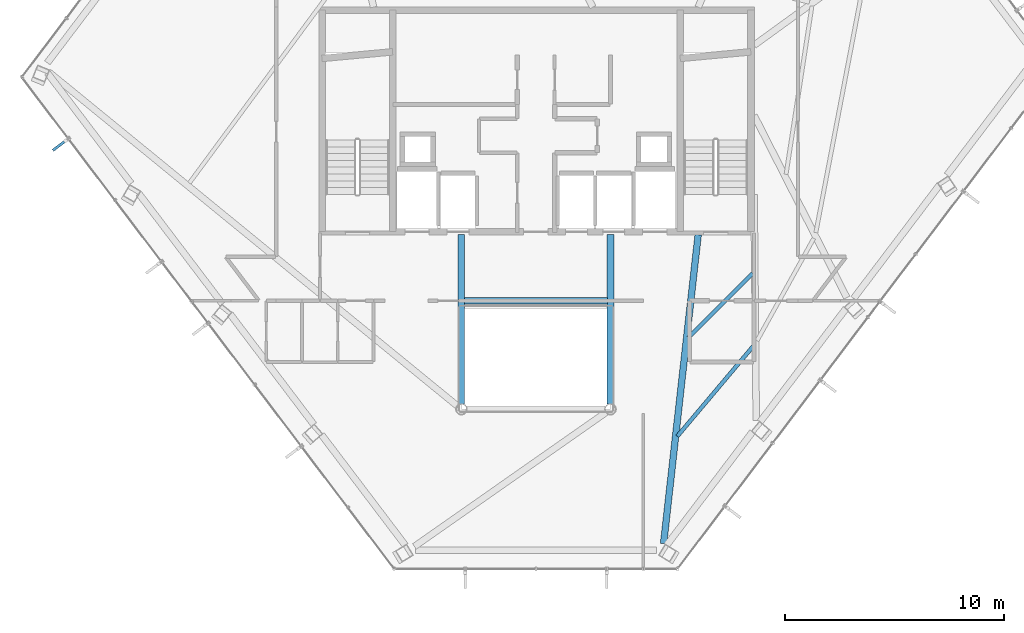
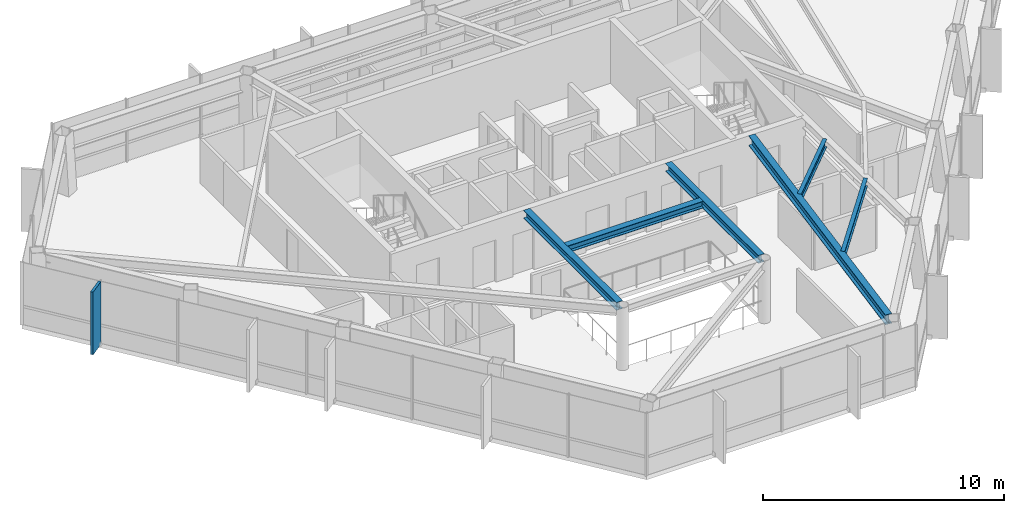
# One storey, part 8 of 27: 6 beams, 1 member, 1 element without a shape of its own.
"""IFC4 building model written with IfcOpenShell, lengths in metres."""

import ifcopenshell
import ifcopenshell.guid

model = None  # the IFC model being written
_history = None  # IfcOwnerHistory: only IFC2X3 demands one
_inside = {}  # id of a spatial element -> (the spatial element, [elements in it])
_under = {}  # id of a project, library or spatial element -> (it, [spatial elements below it])
_declared = {}  # id of a project -> (the project, [libraries it declares])
_typed = {}  # id of a type object -> (the type object, [elements of that type])
_made_of = {}  # id of a material, layer set ... -> (it, [elements and type objects made of it])


def new_model(schema):
    """Start an empty IFC model of exactly this schema.

    Asked for "IFC4X3", IfcOpenShell would pick the latest addendum, in which some entities
    have other attributes; the version numbers below select the first issue.
    IFC2X3 requires an IfcOwnerHistory on every rooted entity: one is made here for all.
    """
    global model, _history
    if schema == "IFC4X3":
        model = ifcopenshell.file(schema_version=(4, 3, 0, 0))
    else:
        model = ifcopenshell.file(schema=schema)
    _inside.clear()
    _under.clear()
    _declared.clear()
    _typed.clear()
    _made_of.clear()
    _history = None
    if model.schema == "IFC2X3":
        org = make("IfcOrganization", Name="unknown")
        user = make(
            "IfcPersonAndOrganization",
            ThePerson=make("IfcPerson", FamilyName="unknown"),
            TheOrganization=org,
        )
        app = make(
            "IfcApplication",
            ApplicationDeveloper=org,
            Version="unknown",
            ApplicationFullName="unknown",
            ApplicationIdentifier="unknown",
        )
        _history = make(
            "IfcOwnerHistory",
            OwningUser=user,
            OwningApplication=app,
            ChangeAction="ADDED",
            CreationDate=0,
        )
    return model


def make(cls, **values):
    """One entity of the class cls with the attributes given. An attribute that is None is left unset."""
    return model.create_entity(
        cls, **{name: value for name, value in values.items() if value is not None}
    )


def rooted(cls, **values):
    """An entity with a GlobalId (a new one), such as an element, a storey or a relation."""
    return make(cls, GlobalId=ifcopenshell.guid.new(), OwnerHistory=_history, **values)


def si_unit(unit_type, name, prefix=None):
    """IfcSIUnit, for example si_unit("LENGTHUNIT", "METRE", prefix="MILLI")."""
    return make("IfcSIUnit", UnitType=unit_type, Prefix=prefix, Name=name)


def assignment(units):
    """IfcUnitAssignment: the units of a project."""
    return None if units is None else make("IfcUnitAssignment", Units=units)


def point(xyz):
    """IfcCartesianPoint."""
    return None if xyz is None else make("IfcCartesianPoint", Coordinates=xyz)


def direction(xyz):
    """IfcDirection."""
    return None if xyz is None else make("IfcDirection", DirectionRatios=xyz)


def frame(location, z_axis=None, x_axis=None):
    """IfcAxis2Placement3D, a coordinate frame: its origin and axes. An axis left out is left unset."""
    return make(
        "IfcAxis2Placement3D",
        Location=point(location),
        Axis=direction(z_axis),
        RefDirection=direction(x_axis),
    )


def frame_2d(location, x_axis=None):
    """IfcAxis2Placement2D, a coordinate frame in the plane: its origin and x axis."""
    return make(
        "IfcAxis2Placement2D", Location=point(location), RefDirection=direction(x_axis)
    )


def origin():
    """The frame at (0, 0, 0) with its axes left unset."""
    return frame((0.0, 0.0, 0.0))


def origin_2d():
    """The frame at (0, 0) in the plane with its x axis left unset."""
    return frame_2d((0.0, 0.0))


def place(relative_to, where):
    """IfcLocalPlacement: puts the frame where relative to a parent placement (None: the world)."""
    return make(
        "IfcLocalPlacement", PlacementRelTo=relative_to, RelativePlacement=where
    )


def context(
    kind, dimensions, precision=None, world=None, true_north=None, identifier=None
):
    """IfcGeometricRepresentationContext, for example the 3D "Model" context."""
    return make(
        "IfcGeometricRepresentationContext",
        ContextIdentifier=identifier,
        ContextType=kind,
        CoordinateSpaceDimension=dimensions,
        Precision=precision,
        WorldCoordinateSystem=world,
        TrueNorth=true_north,
    )


def subcontext(parent, identifier, kind, view, scale=None):
    """IfcGeometricRepresentationSubContext, for example "Body" below "Model"."""
    return make(
        "IfcGeometricRepresentationSubContext",
        ContextIdentifier=identifier,
        ContextType=kind,
        ParentContext=parent,
        TargetScale=scale,
        TargetView=view,
    )


def project(units=None, contexts=None):
    """IfcProject with its units and contexts."""
    return rooted(
        "IfcProject",
        Name="project",
        RepresentationContexts=contexts,
        UnitsInContext=assignment(units),
    )


def spatial(cls, under=None, at=None, **own):
    """A site, building, storey or space (cls), placed at a placement, below another one or the project."""
    s = rooted(cls, ObjectPlacement=at, **own)
    if under is not None:
        _under.setdefault(under.id(), (under, []))[1].append(s)
    return s


def profile(cls, at=None, kind="AREA", **sizes):
    """A parametric profile (cls). Its sizes go by their IFC names, for example OverallWidth=200.0."""
    return make(cls, ProfileType=kind, Position=at, **sizes)


def rectangle(**sizes):
    """IfcRectangleProfileDef."""
    return profile("IfcRectangleProfileDef", **sizes)


def i_section(**sizes):
    """IfcIShapeProfileDef."""
    return profile("IfcIShapeProfileDef", **sizes)


def extrude(swept, where, along, depth):
    """IfcExtrudedAreaSolid: the profile swept, set in the frame where, extruded along a direction by depth."""
    return make(
        "IfcExtrudedAreaSolid",
        SweptArea=swept,
        Position=where,
        ExtrudedDirection=direction(along),
        Depth=depth,
    )


def shape(context_of_items, identifier, shape_type, items):
    """IfcShapeRepresentation: the items that make up one representation, for example the "Body"."""
    return make(
        "IfcShapeRepresentation",
        ContextOfItems=context_of_items,
        RepresentationIdentifier=identifier,
        RepresentationType=shape_type,
        Items=items,
    )


def material(Name=None, Category=None):
    """IfcMaterial."""
    return make("IfcMaterial", Name=Name, Category=Category)


def layer(
    of_material, thickness, ventilated=None, Name=None, Category=None, Priority=None
):
    """IfcMaterialLayer: one layer of a wall or slab, of a material (None: an air gap)."""
    return make(
        "IfcMaterialLayer",
        Material=of_material,
        LayerThickness=thickness,
        IsVentilated=ventilated,
        Name=Name,
        Category=Category,
        Priority=Priority,
    )


def layer_set(layers, Name=None):
    """IfcMaterialLayerSet."""
    return make("IfcMaterialLayerSet", MaterialLayers=layers, LayerSetName=Name)


def material_profile(
    of_material, cross_section, Name=None, Category=None, Priority=None
):
    """IfcMaterialProfile: a cross section and its material."""
    return make(
        "IfcMaterialProfile",
        Name=Name,
        Material=of_material,
        Profile=cross_section,
        Priority=Priority,
        Category=Category,
    )


def profile_set(profiles, Name=None, composite=None):
    """IfcMaterialProfileSet."""
    return make(
        "IfcMaterialProfileSet",
        Name=Name,
        MaterialProfiles=profiles,
        CompositeProfile=composite,
    )


def made_of(thing, what):
    """Note that an element or type object is made of a material, layer set ...; save() writes the relation."""
    if what is not None:
        _made_of.setdefault(what.id(), (what, []))[1].append(thing)
    return thing


def type_object(cls, material=None, **own):
    """A type object (cls), such as IfcWallType, which elements share."""
    return made_of(rooted(cls, **own), material)


def element(
    cls,
    number,
    at=None,
    inside=None,
    cuts=None,
    type_object=None,
    material=None,
    context=None,
    identifier="Body",
    shape_type=None,
    held_by="IfcProductDefinitionShape",
    body=None,
    shapes=None,
    **own,
):
    """One element of the class cls, such as IfcWall. Its Tag is "e" and its number.

    at: its placement. inside: the storey or other place that contains it. cuts: it is an
    opening in that element (IfcRelVoidsElement). A single representation is given by context,
    identifier, shape_type and body (its items); several are given by shapes. held_by: the class
    of the entity that holds the representations. save() writes the other relations.
    """
    e = rooted(cls, Tag="e%d" % number, ObjectPlacement=at, **own)
    if body is not None:
        shapes = [shape(context, identifier, shape_type, body)]
    if shapes is not None:
        e.Representation = make(held_by, Representations=shapes)
    if inside is not None:
        _inside.setdefault(inside.id(), (inside, []))[1].append(e)
    if cuts is not None:
        rooted(
            "IfcRelVoidsElement", RelatingBuildingElement=cuts, RelatedOpeningElement=e
        )
    if type_object is not None:
        _typed.setdefault(type_object.id(), (type_object, []))[1].append(e)
    return made_of(e, material)


def aggregate(whole, parts):
    """IfcRelAggregates: a whole, such as a stair, and the parts it consists of."""
    return rooted("IfcRelAggregates", RelatingObject=whole, RelatedObjects=parts)


def save(model, path):
    """Write the relations noted so far, then the file.

    IfcRelAggregates (storeys below a building ...), IfcRelContainedInSpatialStructure (elements
    in a storey), IfcRelDefinesByType, IfcRelAssociatesMaterial and IfcRelDeclares: one each for
    every whole, place, type object, material and project.
    """
    for whole, parts in _under.values():
        aggregate(whole, parts)
    for where, things in _inside.values():
        rooted(
            "IfcRelContainedInSpatialStructure",
            RelatedElements=things,
            RelatingStructure=where,
        )
    for kind, things in _typed.values():
        rooted("IfcRelDefinesByType", RelatedObjects=things, RelatingType=kind)
    for what, things in _made_of.values():
        rooted("IfcRelAssociatesMaterial", RelatedObjects=things, RelatingMaterial=what)
    for by, libraries in _declared.values():
        rooted("IfcRelDeclares", RelatingContext=by, RelatedDefinitions=libraries)
    model.write(path)


model = new_model("IFC4")

# Units and contexts
model_context = context("Model", 3, precision=1e-05, world=origin(), true_north=direction((0.0, 1.0)))
body_context = subcontext(model_context, "Body", "Model", "MODEL_VIEW")
ifc_project = project(units=[si_unit("LENGTHUNIT", "METRE"), si_unit("AREAUNIT", "SQUARE_METRE"), si_unit("VOLUMEUNIT", "CUBIC_METRE"), si_unit("PLANEANGLEUNIT", "RADIAN"), si_unit("MASSUNIT", "GRAM", prefix="KILO")], contexts=[model_context])

# Site, building, storey
site_placement = place(None, origin())
site = spatial("IfcSite", under=ifc_project, at=site_placement, CompositionType="ELEMENT")
building_placement = place(site_placement, origin())
building = spatial("IfcBuilding", under=site, at=building_placement, Name="Zarrinselat Tower", CompositionType="ELEMENT")
storey_placement = place(building_placement, frame((0.0, 0.0, 215.56005859375)))
storey = spatial("IfcBuildingStorey", under=building, at=storey_placement, Name="L53", CompositionType="ELEMENT", Elevation=215.56005859375)

# Beams
ifc_material_1 = material(Name="Steel S355J2", Category="steel")
ifc_material_profile_1 = material_profile(ifc_material_1, i_section(OverallWidth=0.300048828125, OverallDepth=0.35009765625, WebThickness=0.010009765625, FlangeThickness=0.017578125, at=origin_2d()), Name="HEA 360")
ifc_profile_set_1 = profile_set([ifc_material_profile_1], Name="Steel S355J2")
beam_type_1 = type_object("IfcBeamType", Name="BM-HEA360", PredefinedType="LINTEL", material=ifc_profile_set_1)
beam_1_placement = place(storey_placement, frame((35.139892578125, 30.14990234375, 3.0048828125), z_axis=(1.0, 0.0, 0.0), x_axis=(0.0, 1.0, 0.0)))
element("IfcBeam", 1, at=beam_1_placement, inside=storey, type_object=beam_type_1, Name="L53 Lift Lobby Ceiling Beam", PredefinedType="LINTEL", context=body_context, shape_type="SweptSolid", body=[
    extrude(i_section(OverallWidth=0.300048828125, OverallDepth=0.35009765625, WebThickness=0.010009765625, FlangeThickness=0.017578125, at=origin_2d()), origin(), (0.0, 0.0, 1.0), 6.52001953125),
])
ifc_material_2 = material(Name="Steel S355J2", Category="steel")
ifc_material_profile_2 = material_profile(ifc_material_2, i_section(OverallWidth=0.300048828125, OverallDepth=0.39990234375, WebThickness=0.013427734375, FlangeThickness=0.02392578125, at=origin_2d()), Name="HEB 400")
ifc_profile_set_2 = profile_set([ifc_material_profile_2], Name="Steel S355J2")
beam_type_2 = type_object("IfcBeamType", Name="BM-HEB400", PredefinedType="BEAM", material=ifc_profile_set_2)
for number, where, z_axis, x_axis, name in (
    (2, (35.0, 25.43994140625, 2.97998046875), (0.0, 1.0, 0.0), (-1.0, 0.0, 0.0), "L53 Atrium Edge Beam W"),
    (3, (41.800048828125, 25.43994140625, 2.97998046875), (0.0, 1.0, 0.0), (-1.0, 0.0, 0.0), "L53 Atrium Edge Beam E"),
):
    element("IfcBeam", number, at=place(storey_placement, frame(where, z_axis=z_axis, x_axis=x_axis)), inside=storey, type_object=beam_type_2, Name=name, PredefinedType="BEAM", context=body_context, shape_type="SweptSolid", body=[
        extrude(i_section(OverallWidth=0.300048828125, OverallDepth=0.39990234375, WebThickness=0.013427734375, FlangeThickness=0.02392578125, at=origin_2d()), origin(), (0.0, 0.0, 1.0), 7.719970703125),
    ])
ifc_material_3 = material(Name="Steel S355J2", Category="steel")
ifc_material_profile_3 = material_profile(ifc_material_3, i_section(OverallWidth=0.300048828125, OverallDepth=0.5, WebThickness=0.014404296875, FlangeThickness=0.028076171875, at=origin_2d()), Name="HEB 500")
ifc_profile_set_3 = profile_set([ifc_material_profile_3], Name="Steel S355J2")
beam_type_3 = type_object("IfcBeamType", Name="BM-HEB500", PredefinedType="BEAM", material=ifc_profile_set_3)
beam_2_placement = place(storey_placement, frame((44.220703125, 19.06689453125, 2.929931640625), z_axis=(0.111368685601, 0.993779158499, 0.0), x_axis=(-0.993779158499, 0.111368685601, 0.0)))
element("IfcBeam", 4, at=beam_2_placement, inside=storey, type_object=beam_type_3, Name="L53 Radial Primary Girder RG11", PredefinedType="BEAM", context=body_context, shape_type="SweptSolid", body=[
    extrude(i_section(OverallWidth=0.300048828125, OverallDepth=0.5, WebThickness=0.014404296875, FlangeThickness=0.028076171875, at=origin_2d()), origin(), (0.0, 0.0, 1.0), 14.18115234375),
])
ifc_material_4 = material(Name="Steel S355J2", Category="steel")
ifc_material_profile_4 = material_profile(ifc_material_4, i_section(OverallWidth=0.179931640625, OverallDepth=0.39990234375, WebThickness=0.008544921875, FlangeThickness=0.013427734375, at=origin_2d()), Name="IPE 400")
ifc_profile_set_4 = profile_set([ifc_material_profile_4], Name="Steel S355J2")
beam_type_4 = type_object("IfcBeamType", Name="BM-IPE400", PredefinedType="JOIST", material=ifc_profile_set_4)
beam_3_placement = place(storey_placement, frame((44.847900390625, 23.965576171875, 2.97998046875), z_axis=(0.644265316144, 0.764802067475, 0.0), x_axis=(-0.764802067475, 0.644265316144, 0.0)))
element("IfcBeam", 5, at=beam_3_placement, inside=storey, type_object=beam_type_4, Name="L53 Composite Floor Joist 3-1", PredefinedType="JOIST", context=body_context, shape_type="SweptSolid", body=[
    extrude(i_section(OverallWidth=0.179931640625, OverallDepth=0.39990234375, WebThickness=0.008544921875, FlangeThickness=0.013427734375, at=origin_2d()), origin(), (0.0, 0.0, 1.0), 5.395751953125),
])
beam_4_placement = place(storey_placement, frame((45.36181640625, 28.46728515625, 2.97998046875), z_axis=(0.706132745304, 0.708079477184, 0.0), x_axis=(-0.708079477184, 0.706132745304, 0.0)))
element("IfcBeam", 6, at=beam_4_placement, inside=storey, type_object=beam_type_4, Name="L53 Composite Floor Joist 3-2", PredefinedType="JOIST", context=body_context, shape_type="SweptSolid", body=[
    extrude(i_section(OverallWidth=0.179931640625, OverallDepth=0.39990234375, WebThickness=0.008544921875, FlangeThickness=0.013427734375, at=origin_2d()), origin(), (0.0, 0.0, 1.0), 4.138427734375),
])

# Curtain wall, member
ifc_material_5 = material(Name="Extruded Aluminium Alloy EN AW-6063 T6", Category="aluminium")
ifc_layer = layer(ifc_material_5, 0.169921875)
ifc_layer_set = layer_set([ifc_layer], Name="Extruded Aluminium Alloy EN AW-6063 T6")
curtain_wall_type = type_object("IfcCurtainWallType", Name="CWS-RES", PredefinedType="NOTDEFINED", material=ifc_layer_set)
curtain_wall_placement = place(storey_placement, origin())
curtain_wall = element("IfcCurtainWall", 7, at=curtain_wall_placement, inside=storey, type_object=curtain_wall_type, Name="L53 Unitised Curtain Wall CW-L53-E03", PredefinedType="NOTDEFINED")
ifc_material_6 = material(Name="Honed Cream Travertine Stone", Category="masonry")
ifc_material_profile_5 = material_profile(ifc_material_6, rectangle(XDim=0.1201171875, YDim=0.85009765625, at=origin_2d()), Name="FIN 850x120")
ifc_profile_set_5 = profile_set([ifc_material_profile_5], Name="Honed Cream Travertine Stone")
member_type = type_object("IfcMemberType", Name="MEM-STONE-FIN", PredefinedType="USERDEFINED", material=ifc_profile_set_5)
member_placement = place(storey_placement, frame((16.711669921875, 37.2646484375, 0.0), z_axis=(0.0, 0.0, 1.0), x_axis=(-0.603858850791, 0.797091267247, 0.0)))
member = element("IfcMember", 8, at=member_placement, type_object=member_type, Name="L53 Stone Shading Fin CW-L53-E03-01", ObjectType="FIN", PredefinedType="USERDEFINED", context=body_context, shape_type="SweptSolid", body=[
    extrude(rectangle(XDim=0.1201171875, YDim=0.85009765625, at=origin_2d()), origin(), (0.0, 0.0, 1.0), 3.179931640625),
])
aggregate(curtain_wall, [member])

save(model, "model.ifc")
